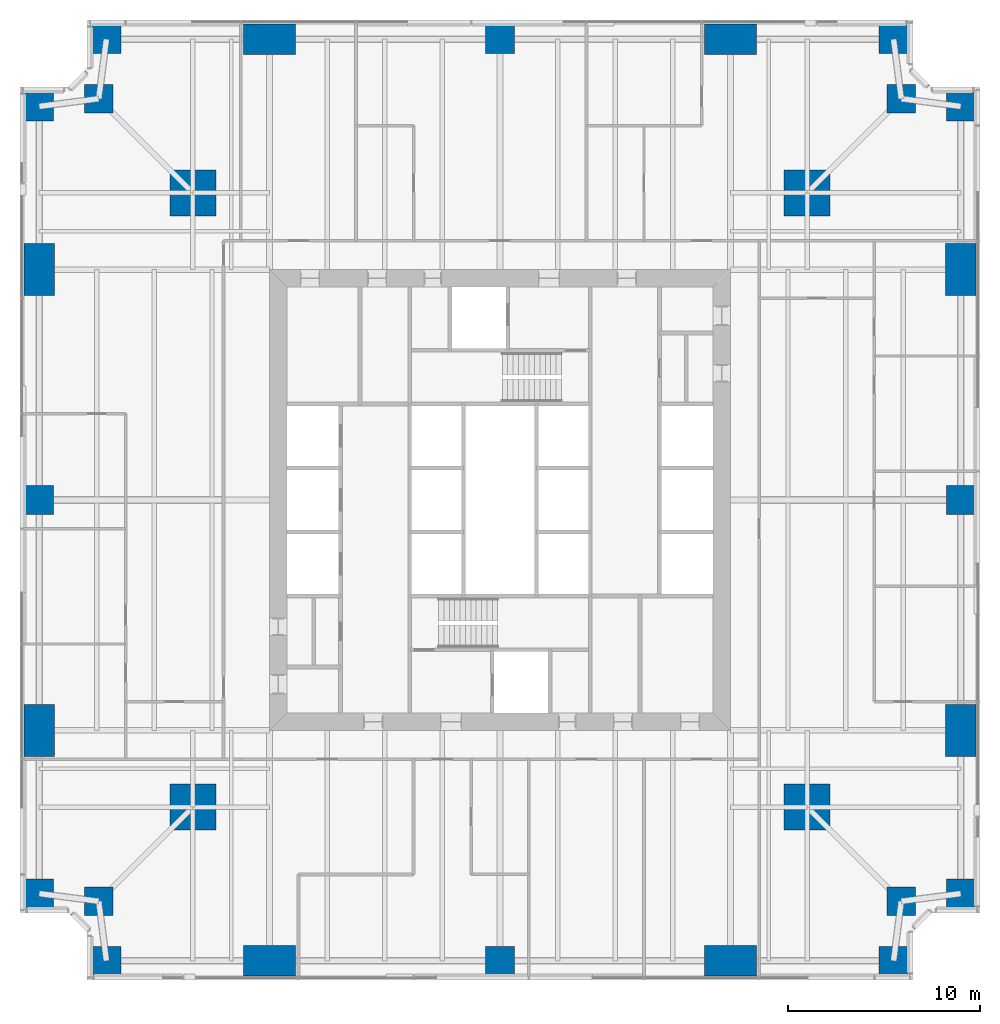
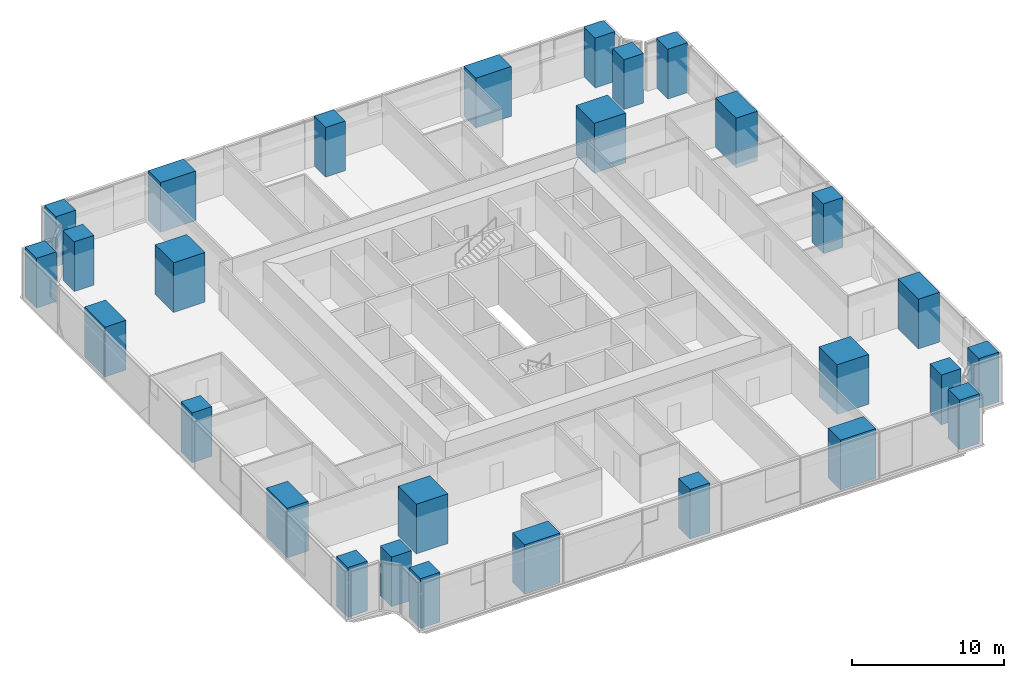
# One storey, part 1 of 13: 28 columns.
"""IFC4 building model written with IfcOpenShell, lengths in metres."""

from ifc_helpers import new_model, si_unit, direction, frame, origin, origin_2d, place, context, subcontext, project, spatial, rectangle, extrude, material, material_profile, profile_set, type_object, element, save


model = new_model("IFC4")

# Units and contexts
model_context = context("Model", 3, precision=1e-05, world=origin(), true_north=direction((0.0, 1.0)))
body_context = subcontext(model_context, "Body", "Model", "MODEL_VIEW")
ifc_project = project(units=[si_unit("LENGTHUNIT", "METRE"), si_unit("AREAUNIT", "SQUARE_METRE"), si_unit("VOLUMEUNIT", "CUBIC_METRE"), si_unit("PLANEANGLEUNIT", "RADIAN"), si_unit("MASSUNIT", "GRAM", prefix="KILO")], contexts=[model_context])

# Site, building, storey
site_placement = place(None, origin())
site = spatial("IfcSite", under=ifc_project, at=site_placement, CompositionType="ELEMENT")
building_placement = place(site_placement, origin())
building = spatial("IfcBuilding", under=site, at=building_placement, Name="Fenwick Lantern Interchange", CompositionType="ELEMENT")
storey_placement = place(building_placement, frame((0.0, 0.0, 39.0)))
storey = spatial("IfcBuildingStorey", under=building, at=storey_placement, Name="L08", CompositionType="ELEMENT", Elevation=39.0)

# Columns
ifc_material = material(Name="Concrete f'c 70 MPa", Category="concrete")
ifc_material_profile_1 = material_profile(ifc_material, rectangle(XDim=2.39990234375, YDim=2.39990234375, at=origin_2d()), Name="RC2400X2400")
ifc_profile_set_1 = profile_set([ifc_material_profile_1], Name="Concrete f'c 70 MPa")
column_type_1 = type_object("IfcColumnType", Name="MEGA COLUMN RC2400X2400", PredefinedType="COLUMN", material=ifc_profile_set_1)
for number, where, z_axis, x_axis, name in (
    (1, (9.0, 9.0, 0.0), (0.0, 0.0, 1.0), (1.0, 0.0, 0.0), "L08/M1"),
    (2, (41.0, 9.0, 0.0), (0.0, 0.0, 1.0), (1.0, 0.0, 0.0), "L08/M2"),
    (3, (41.0, 41.0, 0.0), (0.0, 0.0, 1.0), (1.0, 0.0, 0.0), "L08/M3"),
    (4, (9.0, 41.0, 0.0), (0.0, 0.0, 1.0), (1.0, 0.0, 0.0), "L08/M4"),
):
    element("IfcColumn", number, at=place(storey_placement, frame(where, z_axis=z_axis, x_axis=x_axis)), inside=storey, type_object=column_type_1, Name=name, PredefinedType="COLUMN", context=body_context, shape_type="SweptSolid", body=[
        extrude(rectangle(XDim=2.39990234375, YDim=2.39990234375, at=origin_2d()), origin(), (0.0, 0.0, 1.0), 4.0),
    ])
ifc_material_profile_2 = material_profile(ifc_material, rectangle(XDim=1.5, YDim=1.5, at=origin_2d()), Name="RC1500X1500")
ifc_profile_set_2 = profile_set([ifc_material_profile_2], Name="Concrete f'c 70 MPa")
column_type_2 = type_object("IfcColumnType", Name="PERIMETER COLUMN RC1500X1500", PredefinedType="COLUMN", material=ifc_profile_set_2)
for number, where, z_axis, x_axis, name in (
    (5, (4.5, 1.0, 0.0), (0.0, 0.0, 1.0), (1.0, 0.0, 0.0), "L08/CS1"),
    (6, (25.0, 1.0, 0.0), (0.0, 0.0, 1.0), (1.0, 0.0, 0.0), "L08/CS3"),
    (7, (45.5, 1.0, 0.0), (0.0, 0.0, 1.0), (1.0, 0.0, 0.0), "L08/CS5"),
    (8, (45.89990234375, 4.10009765625, 0.0), (0.0, 0.0, 1.0), (1.0, 0.0, 0.0), "L08/CSR"),
    (9, (49.0, 4.5, 0.0), (0.0, 0.0, 1.0), (1.0, 0.0, 0.0), "L08/CE1"),
    (10, (49.0, 25.0, 0.0), (0.0, 0.0, 1.0), (1.0, 0.0, 0.0), "L08/CE3"),
    (11, (49.0, 45.5, 0.0), (0.0, 0.0, 1.0), (1.0, 0.0, 0.0), "L08/CE5"),
    (12, (45.89990234375, 45.89990234375, 0.0), (0.0, 0.0, 1.0), (1.0, 0.0, 0.0), "L08/CER"),
    (13, (45.5, 49.0, 0.0), (0.0, 0.0, 1.0), (1.0, 0.0, 0.0), "L08/CN1"),
    (14, (25.0, 49.0, 0.0), (0.0, 0.0, 1.0), (1.0, 0.0, 0.0), "L08/CN3"),
    (15, (4.5, 49.0, 0.0), (0.0, 0.0, 1.0), (1.0, 0.0, 0.0), "L08/CN5"),
    (16, (4.10009765625, 45.89990234375, 0.0), (0.0, 0.0, 1.0), (1.0, 0.0, 0.0), "L08/CNR"),
    (17, (1.0, 45.5, 0.0), (0.0, 0.0, 1.0), (1.0, 0.0, 0.0), "L08/CW1"),
    (18, (1.0, 25.0, 0.0), (0.0, 0.0, 1.0), (1.0, 0.0, 0.0), "L08/CW3"),
    (19, (1.0, 4.5, 0.0), (0.0, 0.0, 1.0), (1.0, 0.0, 0.0), "L08/CW5"),
    (20, (4.10009765625, 4.10009765625, 0.0), (0.0, 0.0, 1.0), (1.0, 0.0, 0.0), "L08/CWR"),
):
    element("IfcColumn", number, at=place(storey_placement, frame(where, z_axis=z_axis, x_axis=x_axis)), inside=storey, type_object=column_type_2, Name=name, PredefinedType="COLUMN", context=body_context, shape_type="SweptSolid", body=[
        extrude(rectangle(XDim=1.5, YDim=1.5, at=origin_2d()), origin(), (0.0, 0.0, 1.0), 4.0),
    ])
ifc_material_profile_3 = material_profile(ifc_material, rectangle(XDim=1.60009765625, YDim=2.699951171875, at=origin_2d()), Name="RC1600X2700")
ifc_profile_set_3 = profile_set([ifc_material_profile_3], Name="Concrete f'c 70 MPa")
column_type_3 = type_object("IfcColumnType", Name="PERIMETER COLUMN RC1600X2700", PredefinedType="COLUMN", material=ifc_profile_set_3)
for number, where, z_axis, x_axis, name in (
    (21, (49.0, 13.0, 0.0), (0.0, 0.0, 1.0), (1.0, 0.0, 0.0), "L08/CE2"),
    (22, (49.0, 37.0, 0.0), (0.0, 0.0, 1.0), (1.0, 0.0, 0.0), "L08/CE4"),
    (23, (1.0, 37.0, 0.0), (0.0, 0.0, 1.0), (1.0, 0.0, 0.0), "L08/CW2"),
    (24, (1.0, 13.0, 0.0), (0.0, 0.0, 1.0), (1.0, 0.0, 0.0), "L08/CW4"),
):
    element("IfcColumn", number, at=place(storey_placement, frame(where, z_axis=z_axis, x_axis=x_axis)), inside=storey, type_object=column_type_3, Name=name, PredefinedType="COLUMN", context=body_context, shape_type="SweptSolid", body=[
        extrude(rectangle(XDim=1.60009765625, YDim=2.699951171875, at=origin_2d()), origin(), (0.0, 0.0, 1.0), 4.0),
    ])
ifc_material_profile_4 = material_profile(ifc_material, rectangle(XDim=2.699951171875, YDim=1.60009765625, at=origin_2d()), Name="RC2700X1600")
ifc_profile_set_4 = profile_set([ifc_material_profile_4], Name="Concrete f'c 70 MPa")
column_type_4 = type_object("IfcColumnType", Name="PERIMETER COLUMN RC2700X1600", PredefinedType="COLUMN", material=ifc_profile_set_4)
for number, where, z_axis, x_axis, name in (
    (25, (13.0, 1.0, 0.0), (0.0, 0.0, 1.0), (1.0, 0.0, 0.0), "L08/CS2"),
    (26, (37.0, 1.0, 0.0), (0.0, 0.0, 1.0), (1.0, 0.0, 0.0), "L08/CS4"),
    (27, (37.0, 49.0, 0.0), (0.0, 0.0, 1.0), (1.0, 0.0, 0.0), "L08/CN2"),
    (28, (13.0, 49.0, 0.0), (0.0, 0.0, 1.0), (1.0, 0.0, 0.0), "L08/CN4"),
):
    element("IfcColumn", number, at=place(storey_placement, frame(where, z_axis=z_axis, x_axis=x_axis)), inside=storey, type_object=column_type_4, Name=name, PredefinedType="COLUMN", context=body_context, shape_type="SweptSolid", body=[
        extrude(rectangle(XDim=2.699951171875, YDim=1.60009765625, at=origin_2d()), origin(), (0.0, 0.0, 1.0), 4.0),
    ])

save(model, "model.ifc")
